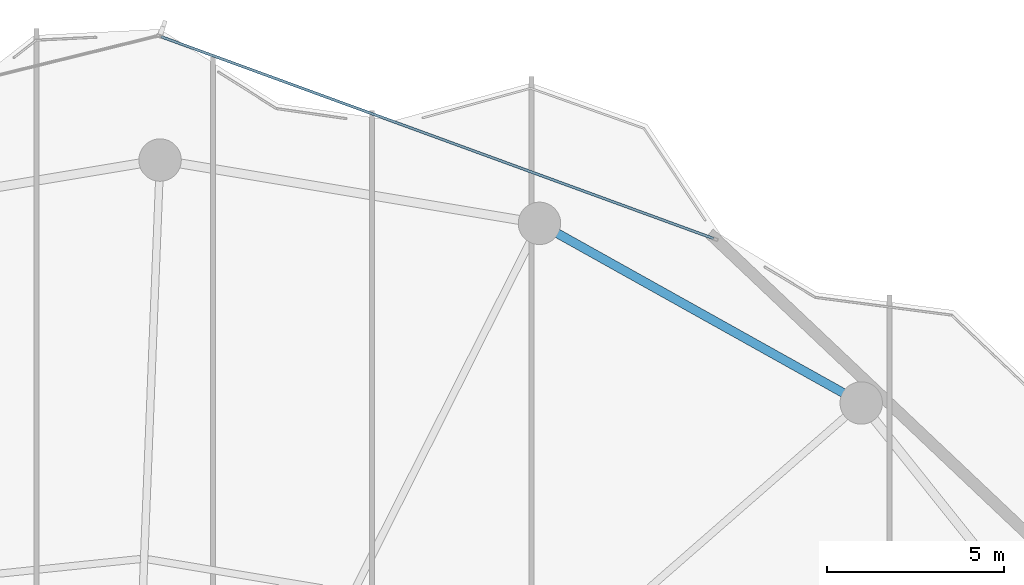
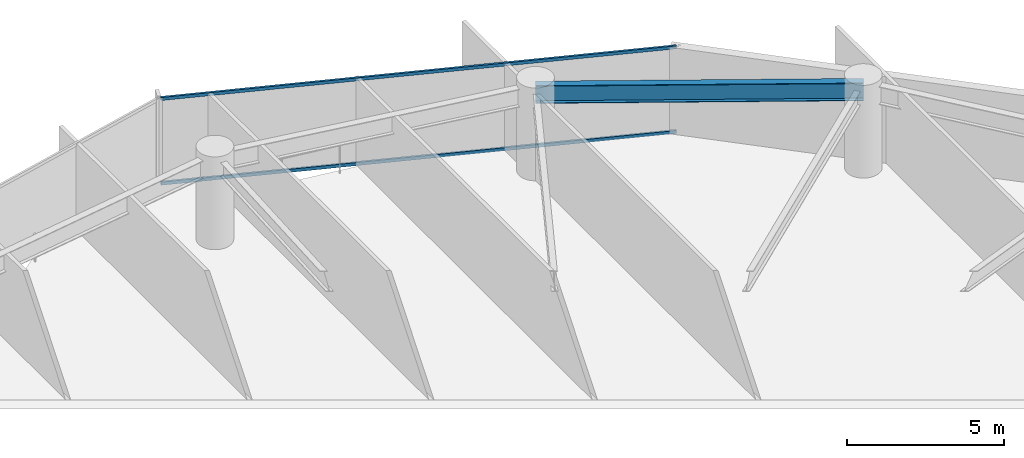
# One storey, part 20 of 28: 2 members, 1 beam, 1 element without a shape of its own.
"""IFC4 building model written with IfcOpenShell, lengths in metres."""

from ifc_helpers import new_model, si_unit, direction, frame, origin, origin_2d, place, context, subcontext, project, spatial, hollow_rectangle, i_section, extrude, material, layer, layer_set, material_profile, profile_set, type_object, element, aggregate, save


model = new_model("IFC4")

# Units and contexts
model_context = context("Model", 3, precision=1e-05, world=origin(), true_north=direction((0.0, 1.0)))
body_context = subcontext(model_context, "Body", "Model", "MODEL_VIEW")
ifc_project = project(units=[si_unit("LENGTHUNIT", "METRE"), si_unit("AREAUNIT", "SQUARE_METRE"), si_unit("VOLUMEUNIT", "CUBIC_METRE"), si_unit("PLANEANGLEUNIT", "RADIAN"), si_unit("MASSUNIT", "GRAM", prefix="KILO")], contexts=[model_context])

# Site, building, storey
site_placement = place(None, origin())
site = spatial("IfcSite", under=ifc_project, at=site_placement, CompositionType="ELEMENT")
building_placement = place(site_placement, origin())
building = spatial("IfcBuilding", under=site, at=building_placement, Name="Kazevale Care Tower and Concert Hall", CompositionType="ELEMENT")
storey_placement = place(building_placement, frame((0.0, 0.0, 109.800048828125)))
storey = spatial("IfcBuildingStorey", under=building, at=storey_placement, Name="L28", CompositionType="ELEMENT", Elevation=109.800048828125)

# Curtain wall, members
ifc_material_1 = material(Name="Aluminium 6063-T6 and Low-E Glass", Category="aluminium")
ifc_layer = layer(ifc_material_1, 0.179931640625)
ifc_layer_set = layer_set([ifc_layer], Name="Aluminium 6063-T6 and Low-E Glass")
curtain_wall_type = type_object("IfcCurtainWallType", Name="Convex Checkerboard Finned Curtain Wall CW-2", PredefinedType="NOTDEFINED", material=ifc_layer_set)
curtain_wall_placement = place(storey_placement, origin())
curtain_wall = element("IfcCurtainWall", 1, at=curtain_wall_placement, inside=storey, type_object=curtain_wall_type, Name="cw:L28:f16", PredefinedType="NOTDEFINED")
ifc_material_2 = material(Name="Aluminium 6063-T6", Category="aluminium")
ifc_material_profile_1 = material_profile(ifc_material_2, hollow_rectangle(XDim=0.074951171875, YDim=0.1201171875, WallThickness=0.00390625, at=origin_2d()), Name="ALU75x120x4")
ifc_profile_set_1 = profile_set([ifc_material_profile_1], Name="Aluminium 6063-T6")
member_type = type_object("IfcMemberType", Name="CW-2 Transom ALU75x120x4", PredefinedType="USERDEFINED", material=ifc_profile_set_1)
member_1_placement = place(storey_placement, frame((45.027099609375, 64.939453125, 0.037353515625), z_axis=(0.939285028824, -0.343137923622, 0.0), x_axis=(0.343137923622, 0.939285028824, 0.0)))
member_1 = element("IfcMember", 2, at=member_1_placement, type_object=member_type, Name="CW-2 transom 1.1", ObjectType="TRANSOM", PredefinedType="USERDEFINED", context=body_context, shape_type="SweptSolid", body=[
    extrude(hollow_rectangle(XDim=0.074951171875, YDim=0.1201171875, WallThickness=0.00390625, at=origin_2d()), origin(), (0.0, 0.0, 1.0), 16.634765625),
])
member_2_placement = place(storey_placement, frame((45.027099609375, 64.939453125, 3.322509765625), z_axis=(0.939285028824, -0.343137923622, 0.0), x_axis=(0.343137923622, 0.939285028824, 0.0)))
member_2 = element("IfcMember", 3, at=member_2_placement, type_object=member_type, Name="CW-2 transom 1.2", ObjectType="TRANSOM", PredefinedType="USERDEFINED", context=body_context, shape_type="SweptSolid", body=[
    extrude(hollow_rectangle(XDim=0.074951171875, YDim=0.1201171875, WallThickness=0.00390625, at=origin_2d()), origin(), (0.0, 0.0, 1.0), 16.634765625),
])
aggregate(curtain_wall, [member_1, member_2])

# Beam
ifc_material_3 = material(Name="Steel ASTM A572 Gr 50", Category="steel")
ifc_material_profile_2 = material_profile(ifc_material_3, i_section(OverallWidth=0.256103515625, OverallDepth=0.693115234375, WebThickness=0.014404296875, FlangeThickness=0.023681640625, at=origin_2d()), Name="W690x170")
ifc_profile_set_2 = profile_set([ifc_material_profile_2], Name="Steel ASTM A572 Gr 50")
beam_type = type_object("IfcBeamType", Name="Waist Ring Beam W690x170", PredefinedType="BEAM", material=ifc_profile_set_2)
beam_placement = place(storey_placement, frame((64.830078125, 54.580078125, 3.013427734375), z_axis=(-0.873168720251, 0.487418081297, 0.0), x_axis=(-0.487418081297, -0.873168720251, 0.0)))
element("IfcBeam", 4, at=beam_placement, inside=storey, type_object=beam_type, Name="beam:L28:ring:03", PredefinedType="BEAM", context=body_context, shape_type="SweptSolid", body=[
    extrude(i_section(OverallWidth=0.256103515625, OverallDepth=0.693115234375, WebThickness=0.014404296875, FlangeThickness=0.023681640625, at=origin_2d()), origin(), (0.0, 0.0, 1.0), 10.421875),
])

save(model, "model.ifc")
